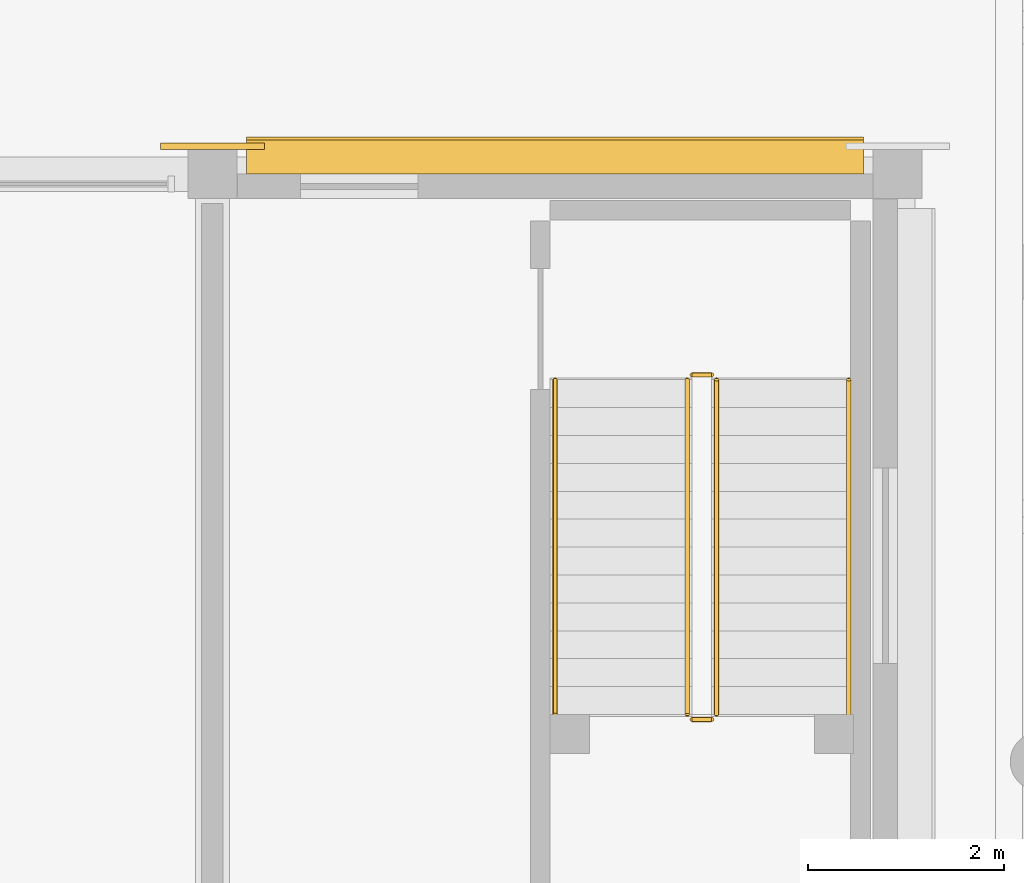
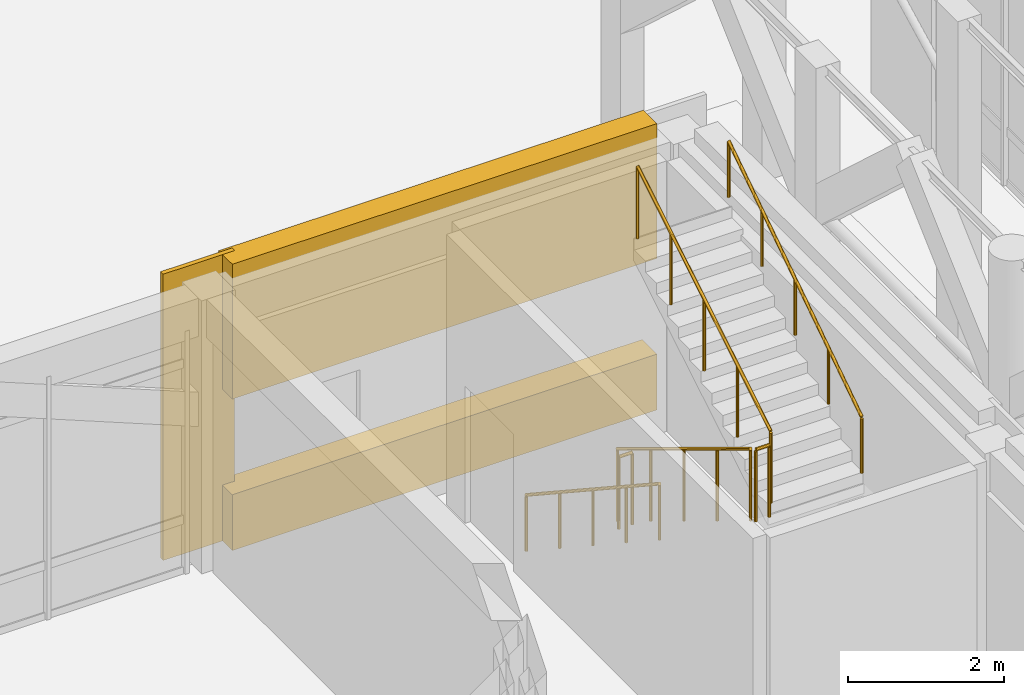
# One storey, part 125 of 135: 6 railings, 3 coverings.
"""IFC4 building model written with IfcOpenShell, lengths in metres."""

from ifc_helpers import new_model, si_unit, direction, frame, origin, origin_2d, place, context, subcontext, project, spatial, polyline, circle, outline, extrude, material, layer, layer_set, type_object, element, save


model = new_model("IFC4")

# Units and contexts
model_context = context("Model", 3, precision=1e-05, world=origin(), true_north=direction((0.0, 1.0)))
body_context = subcontext(model_context, "Body", "Model", "MODEL_VIEW")
ifc_project = project(units=[si_unit("LENGTHUNIT", "METRE"), si_unit("AREAUNIT", "SQUARE_METRE"), si_unit("VOLUMEUNIT", "CUBIC_METRE"), si_unit("PLANEANGLEUNIT", "RADIAN"), si_unit("MASSUNIT", "GRAM", prefix="KILO")], contexts=[model_context])

# Site, building, storey
site_placement = place(None, origin())
site = spatial("IfcSite", under=ifc_project, at=site_placement, CompositionType="ELEMENT")
building_placement = place(site_placement, origin())
building = spatial("IfcBuilding", under=site, at=building_placement, Name="Kiranvali Square Residences", CompositionType="ELEMENT")
storey_placement = place(building_placement, origin())
storey = spatial("IfcBuildingStorey", under=building, at=storey_placement, Name="L00", CompositionType="ELEMENT", Elevation=0.0)

# Coverings
ifc_material_1 = material(Name="Honed Porbandar limestone ashlar facade cladding", Category="masonry")
ifc_layer_1 = layer(ifc_material_1, 0.06494140625)
ifc_layer_set_1 = layer_set([ifc_layer_1], Name="Honed Porbandar limestone ashlar facade cladding")
covering_type_1 = type_object("IfcCoveringType", Name="COV-CLAD-PIER", PredefinedType="CLADDING", material=ifc_layer_set_1)
covering_1_placement = place(storey_placement, frame((0.0, 0.0, 0.0048828125)))
element("IfcCovering", 1, at=covering_1_placement, inside=storey, type_object=covering_type_1, Name="L00 Classical limestone pilaster casing CLAD-NR-L00-N3", PredefinedType="CLADDING", context=body_context, shape_type="SweptSolid", body=[
    extrude(outline(polyline([(58.469970703125, 80.25048828125), (59.530029296875, 80.25048828125), (59.530029296875, 80.318115234375), (58.469970703125, 80.318115234375), (58.469970703125, 80.25048828125)])), origin(), (0.0, 0.0, 1.0), 4.490234375),
])
ifc_layer_2 = layer(ifc_material_1, 0.360107421875)
ifc_layer_set_2 = layer_set([ifc_layer_2], Name="Honed Porbandar limestone ashlar facade cladding")
covering_type_2 = type_object("IfcCoveringType", Name="COV-CLAD-WALL", PredefinedType="CLADDING", material=ifc_layer_set_2)
covering_2_placement = place(storey_placement, frame((0.0, 0.0, 2.3798828125)))
element("IfcCovering", 2, at=covering_2_placement, inside=storey, type_object=covering_type_2, Name="L00 light limestone spandrel lintel NR-L00-N-3", PredefinedType="CLADDING", context=body_context, shape_type="SweptSolid", body=[
    extrude(outline(polyline([(59.35009765625, 80.00048828125), (65.64990234375, 80.00048828125), (65.64990234375, 80.35009765625), (59.35009765625, 80.35009765625), (59.35009765625, 80.00048828125)])), origin(), (0.0, 0.0, 1.0), 2.115234375),
])
covering_3_placement = place(storey_placement, frame((0.0, 0.0, 0.0048828125)))
element("IfcCovering", 3, at=covering_3_placement, inside=storey, type_object=covering_type_2, Name="L00 limestone window sill apron NR-L00-N-3", PredefinedType="CLADDING", context=body_context, shape_type="SweptSolid", body=[
    extrude(outline(polyline([(59.35009765625, 80.00048828125), (65.64990234375, 80.00048828125), (65.64990234375, 80.3798828125), (59.35009765625, 80.3798828125), (59.35009765625, 80.00048828125)])), origin(), (0.0, 0.0, 1.0), 0.875),
])

# Railings
ifc_material_2 = material(Name="Brushed stainless steel tubular handrail", Category="steel")
railing_type_1 = type_object("IfcRailingType", Name="RL-HANDRAIL-900", PredefinedType="HANDRAIL", material=ifc_material_2)
railing_1_placement = place(storey_placement, frame((62.5, 77.89990234375, 0.173095703125)))
element("IfcRailing", 4, at=railing_1_placement, inside=storey, type_object=railing_type_1, Name="L00 ST-NR2 stair handrail 1", PredefinedType="HANDRAIL", context=body_context, shape_type="SweptSolid", body=[
    extrude(circle(Radius=0.02392578125, at=origin_2d()), frame((0.0, 0.0, 0.8759765625), z_axis=(0.0, -0.835411317272, 0.549625264133), x_axis=(1.0, 0.0, 0.0)), (0.0, 0.0, 1.0), 4.09375),
    extrude(circle(Radius=0.02099609375, at=origin_2d()), origin(), (0.0, 0.0, 1.0), 0.851806640625),
    extrude(circle(Radius=0.02099609375, at=origin_2d()), frame((0.0, -0.85498046875, 0.5625)), (0.0, 0.0, 1.0), 0.851806640625),
    extrude(circle(Radius=0.02099609375, at=origin_2d()), frame((0.0, -1.7099609375, 1.125)), (0.0, 0.0, 1.0), 0.851806640625),
    extrude(circle(Radius=0.02099609375, at=origin_2d()), frame((0.0, -2.56494140625, 1.6875)), (0.0, 0.0, 1.0), 0.851806640625),
    extrude(circle(Radius=0.02099609375, at=origin_2d()), frame((0.0, -3.419921875, 2.25)), (0.0, 0.0, 1.0), 0.851806640625),
])
railing_2_placement = place(storey_placement, frame((65.5, 74.47998046875, 2.423095703125)))
element("IfcRailing", 5, at=railing_2_placement, inside=storey, type_object=railing_type_1, Name="L00 ST-NR2 stair handrail 2", PredefinedType="HANDRAIL", context=body_context, shape_type="SweptSolid", body=[
    extrude(circle(Radius=0.02392578125, at=origin_2d()), frame((0.0, 0.0, 0.8759765625), z_axis=(0.0, 0.835411317272, 0.549625264133), x_axis=(-1.0, 0.0, 0.0)), (0.0, 0.0, 1.0), 4.09375),
    extrude(circle(Radius=0.02099609375, at=origin_2d()), origin(), (0.0, 0.0, 1.0), 0.851806640625),
    extrude(circle(Radius=0.02099609375, at=origin_2d()), frame((0.0, 0.85498046875, 0.5625)), (0.0, 0.0, 1.0), 0.851806640625),
    extrude(circle(Radius=0.02099609375, at=origin_2d()), frame((0.0, 1.7099609375, 1.125)), (0.0, 0.0, 1.0), 0.851806640625),
    extrude(circle(Radius=0.02099609375, at=origin_2d()), frame((0.0, 2.56494140625, 1.6875)), (0.0, 0.0, 1.0), 0.851806640625),
    extrude(circle(Radius=0.02099609375, at=origin_2d()), frame((0.0, 3.419921875, 2.25)), (0.0, 0.0, 1.0), 0.851806640625),
])
ifc_material_3 = material(Name="Powder-coated architectural bronze balustrade", Category="steel")
railing_type_2 = type_object("IfcRailingType", Name="RL-ST-GUARD-1200", PredefinedType="GUARDRAIL", material=ifc_material_3)
railing_3_placement = place(storey_placement, frame((63.85009765625, 77.89990234375, 0.173095703125)))
element("IfcRailing", 6, at=railing_3_placement, inside=storey, type_object=railing_type_2, Name="L00 ST-NR2 stair guard 1", PredefinedType="GUARDRAIL", context=body_context, shape_type="SweptSolid", body=[
    extrude(circle(Radius=0.02392578125, at=origin_2d()), frame((0.0, 0.0, 1.1259765625), z_axis=(0.0, -0.854729506542, 0.519073665916), x_axis=(1.0, 0.0, 0.0)), (0.0, 0.0, 1.0), 4.001220703125),
    extrude(circle(Radius=0.02099609375, at=origin_2d()), origin(), (0.0, 0.0, 1.0), 1.101806640625),
    extrude(circle(Radius=0.02099609375, at=origin_2d()), frame((0.0, -0.85498046875, 0.519287109375)), (0.0, 0.0, 1.0), 1.101806640625),
    extrude(circle(Radius=0.02099609375, at=origin_2d()), frame((0.0, -1.7099609375, 1.03857421875)), (0.0, 0.0, 1.0), 1.101806640625),
    extrude(circle(Radius=0.02099609375, at=origin_2d()), frame((0.0, -2.56494140625, 1.5576171875)), (0.0, 0.0, 1.0), 1.101806640625),
    extrude(circle(Radius=0.02099609375, at=origin_2d()), frame((0.0, -3.419921875, 2.076904296875)), (0.0, 0.0, 1.0), 1.101806640625),
])
railing_4_placement = place(storey_placement, frame((63.89990234375, 74.429931640625, 2.25)))
element("IfcRailing", 7, at=railing_4_placement, inside=storey, type_object=railing_type_2, Name="L00 ST-NR2 stair guard 2", PredefinedType="GUARDRAIL", context=body_context, shape_type="SweptSolid", body=[
    extrude(circle(Radius=0.02392578125, at=origin_2d()), frame((0.0, 0.0, 1.1259765625), z_axis=(1.0, 0.0, 0.0), x_axis=(0.0, 1.0, 0.0)), (0.0, 0.0, 1.0), 0.2001953125),
    extrude(circle(Radius=0.02099609375, at=origin_2d()), origin(), (0.0, 0.0, 1.0), 1.101806640625),
    extrude(circle(Radius=0.02099609375, at=origin_2d()), frame((0.2001953125, 0.0, 0.0)), (0.0, 0.0, 1.0), 1.101806640625),
])
railing_5_placement = place(storey_placement, frame((64.14990234375, 74.47998046875, 2.423095703125)))
element("IfcRailing", 8, at=railing_5_placement, inside=storey, type_object=railing_type_2, Name="L00 ST-NR2 stair guard 3", PredefinedType="GUARDRAIL", context=body_context, shape_type="SweptSolid", body=[
    extrude(circle(Radius=0.02392578125, at=origin_2d()), frame((0.0, 0.0, 1.1259765625), z_axis=(0.0, 0.854729506542, 0.519073665916), x_axis=(-1.0, 0.0, 0.0)), (0.0, 0.0, 1.0), 4.001220703125),
    extrude(circle(Radius=0.02099609375, at=origin_2d()), origin(), (0.0, 0.0, 1.0), 1.101806640625),
    extrude(circle(Radius=0.02099609375, at=origin_2d()), frame((0.0, 0.85498046875, 0.519287109375)), (0.0, 0.0, 1.0), 1.101806640625),
    extrude(circle(Radius=0.02099609375, at=origin_2d()), frame((0.0, 1.7099609375, 1.03857421875)), (0.0, 0.0, 1.0), 1.101806640625),
    extrude(circle(Radius=0.02099609375, at=origin_2d()), frame((0.0, 2.56494140625, 1.5576171875)), (0.0, 0.0, 1.0), 1.101806640625),
    extrude(circle(Radius=0.02099609375, at=origin_2d()), frame((0.0, 3.419921875, 2.076904296875)), (0.0, 0.0, 1.0), 1.101806640625),
])
railing_6_placement = place(storey_placement, frame((63.89990234375, 77.949951171875, 0.0)))
element("IfcRailing", 9, at=railing_6_placement, inside=storey, type_object=railing_type_2, Name="L00 ST-NR2 stair guard 4", PredefinedType="GUARDRAIL", context=body_context, shape_type="SweptSolid", body=[
    extrude(circle(Radius=0.02392578125, at=origin_2d()), frame((0.0, 0.0, 1.1259765625), z_axis=(1.0, 0.0, 0.0), x_axis=(0.0, 1.0, 0.0)), (0.0, 0.0, 1.0), 0.2001953125),
    extrude(circle(Radius=0.02099609375, at=origin_2d()), origin(), (0.0, 0.0, 1.0), 1.101806640625),
    extrude(circle(Radius=0.02099609375, at=origin_2d()), frame((0.2001953125, 0.0, 0.0)), (0.0, 0.0, 1.0), 1.101806640625),
])

save(model, "model.ifc")
